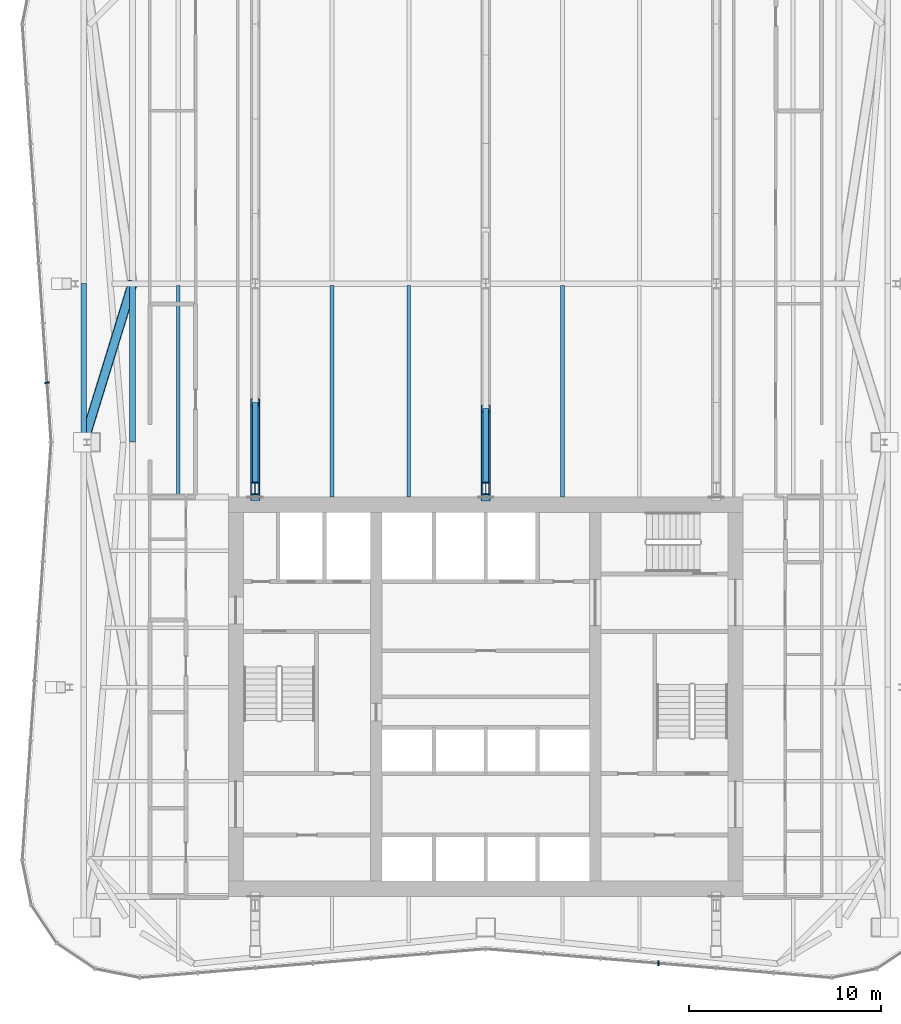
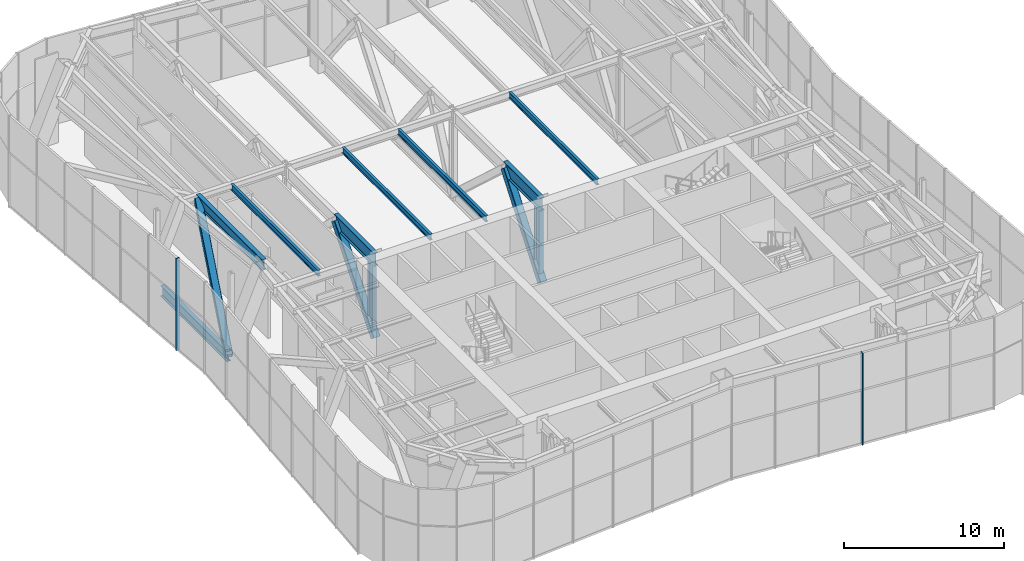
# One storey, part 6 of 17: 11 members, 4 beams, 2 elements without a shape of their own.
"""IFC4 building model written with IfcOpenShell, lengths in metres."""

from ifc_helpers import new_model, si_unit, direction, frame, origin, origin_2d, place, context, subcontext, project, spatial, rectangle, hollow_rectangle, i_section, extrude, material, material_profile, profile_set, type_object, element, aggregate, save


model = new_model("IFC4")

# Units and contexts
model_context = context("Model", 3, precision=1e-05, world=origin(), true_north=direction((0.0, 1.0)))
body_context = subcontext(model_context, "Body", "Model", "MODEL_VIEW")
ifc_project = project(units=[si_unit("LENGTHUNIT", "METRE"), si_unit("AREAUNIT", "SQUARE_METRE"), si_unit("VOLUMEUNIT", "CUBIC_METRE"), si_unit("PLANEANGLEUNIT", "RADIAN"), si_unit("MASSUNIT", "GRAM", prefix="KILO")], contexts=[model_context])

# Site, building, storey
site_placement = place(None, origin())
site = spatial("IfcSite", under=ifc_project, at=site_placement, CompositionType="ELEMENT")
building_placement = place(site_placement, origin())
building = spatial("IfcBuilding", under=site, at=building_placement, Name="Verdant Reach Tower", CompositionType="ELEMENT")
storey_placement = place(building_placement, frame((0.0, 0.0, 282.0)))
storey = spatial("IfcBuildingStorey", under=building, at=storey_placement, Name="L65 Plant", CompositionType="ELEMENT", Elevation=282.0)

# Curtain wall, member
ifc_material_1 = material(Name="Anodised aluminium", Category="aluminium")
curtain_wall_type = type_object("IfcCurtainWallType", Name="EN-CW SYSTEM PLANT", PredefinedType="NOTDEFINED", material=ifc_material_1)
curtain_wall_1_placement = place(storey_placement, origin())
curtain_wall_1 = element("IfcCurtainWall", 1, at=curtain_wall_1_placement, inside=storey, type_object=curtain_wall_type, Name="Curtain wall west, L65", PredefinedType="NOTDEFINED")
ifc_material_profile_1 = material_profile(ifc_material_1, rectangle(XDim=0.238037109375, YDim=0.080078125, at=origin_2d()), Name="Mullion 80x240")
ifc_profile_set_1 = profile_set([ifc_material_profile_1], Name="Anodised aluminium")
member_type_1 = type_object("IfcMemberType", Name="EN-MULLION PLANT", PredefinedType="MULLION", material=ifc_profile_set_1)
member_1_placement = place(storey_placement, frame((-22.8330078125, 44.348876953125, -0.35009765625), z_axis=(0.0, 0.0, 1.0), x_axis=(-0.997630328423, -0.068802091615, 0.0)))
member_1 = element("IfcMember", 2, at=member_1_placement, type_object=member_type_1, Name="Mullion west face part 1 7, L65", PredefinedType="MULLION", context=body_context, shape_type="SweptSolid", body=[
    extrude(rectangle(XDim=0.238037109375, YDim=0.080078125, at=origin_2d()), origin(), (0.0, 0.0, 1.0), 7.0),
])
aggregate(curtain_wall_1, [member_1])

curtain_wall_2_placement = place(storey_placement, origin())
curtain_wall_2 = element("IfcCurtainWall", 3, at=curtain_wall_2_placement, inside=storey, type_object=curtain_wall_type, Name="Curtain wall south, L65", PredefinedType="NOTDEFINED")
member_2_placement = place(storey_placement, frame((8.990234375, 14.13134765625, -0.35009765625), z_axis=(0.0, 0.0, 1.0), x_axis=(-0.083045479859, -0.996545758244, 0.0)))
member_2 = element("IfcMember", 4, at=member_2_placement, type_object=member_type_1, Name="Mullion south face part 2 4, L65", PredefinedType="MULLION", context=body_context, shape_type="SweptSolid", body=[
    extrude(rectangle(XDim=0.238037109375, YDim=0.080078125, at=origin_2d()), origin(), (0.0, 0.0, 1.0), 7.0),
])
aggregate(curtain_wall_2, [member_2])

# Beams
ifc_material_2 = material(Name="Steel S355", Category="steel")
ifc_material_profile_2 = material_profile(ifc_material_2, i_section(OverallWidth=0.18994140625, OverallDepth=0.449951171875, WebThickness=0.009521484375, FlangeThickness=0.0146484375, FilletRadius=0.02099609375, at=origin_2d()), Name="IPE 450")
ifc_profile_set_2 = profile_set([ifc_material_profile_2], Name="Steel S355")
beam_type = type_object("IfcBeamType", Name="ST-JOIST-IPE450", PredefinedType="JOIST", material=ifc_profile_set_2)
beam_placement = place(storey_placement, frame((-16.0, 38.5, 6.64501953125), z_axis=(0.0, 1.0, 0.0), x_axis=(-1.0, 0.0, 0.0)))
element("IfcBeam", 5, at=beam_placement, inside=storey, type_object=beam_type, Name="Floor joist, L65 Plant", PredefinedType="JOIST", context=body_context, shape_type="SweptSolid", body=[
    extrude(i_section(OverallWidth=0.18994140625, OverallDepth=0.449951171875, WebThickness=0.009521484375, FlangeThickness=0.0146484375, FilletRadius=0.02099609375, at=origin_2d()), origin(), (0.0, 0.0, 1.0), 10.89990234375),
])
for number, where, z_axis, x_axis, name in (
    (6, (-8.0, 38.39990234375, 6.64501953125), (0.0, 1.0, 0.0), (-1.0, 0.0, 0.0), "Floor joist, L65 Plant"),
    (7, (-4.0, 38.39990234375, 6.64501953125), (0.0, 1.0, 0.0), (-1.0, 0.0, 0.0), "Floor joist, L65 Plant"),
    (8, (4.0, 38.39990234375, 6.64501953125), (0.0, 1.0, 0.0), (-1.0, 0.0, 0.0), "Floor joist, L65 Plant"),
):
    element("IfcBeam", number, at=place(storey_placement, frame(where, z_axis=z_axis, x_axis=x_axis)), inside=storey, type_object=beam_type, Name=name, PredefinedType="JOIST", context=body_context, shape_type="SweptSolid", body=[
        extrude(i_section(OverallWidth=0.18994140625, OverallDepth=0.449951171875, WebThickness=0.009521484375, FlangeThickness=0.0146484375, FilletRadius=0.02099609375, at=origin_2d()), origin(), (0.0, 0.0, 1.0), 11.0),
    ])

# Members
ifc_material_3 = material(Name="Steel S460", Category="steel")
ifc_material_profile_3 = material_profile(ifc_material_3, hollow_rectangle(XDim=0.5, YDim=0.5, WallThickness=0.02490234375, InnerFilletRadius=0.02490234375, OuterFilletRadius=0.050048828125, at=origin_2d()), Name="RHS 500x500x25")
ifc_profile_set_3 = profile_set([ifc_material_profile_3], Name="Steel S460")
member_type_2 = type_object("IfcMemberType", Name="ST-TRUSS-BRACE-RHS500x500x25", PredefinedType="BRACE", material=ifc_profile_set_3)
member_3_placement = place(storey_placement, frame((-12.0, 38.39990234375, 0.406982421875), z_axis=(0.0, 0.636766330405, 0.771056833484), x_axis=(-1.0, 0.0, 0.0)))
element("IfcMember", 9, at=member_3_placement, inside=storey, type_object=member_type_2, Name="Belt truss C north, diagonal, L65 Plant", PredefinedType="BRACE", context=body_context, shape_type="SweptSolid", body=[
    extrude(hollow_rectangle(XDim=0.5, YDim=0.5, WallThickness=0.02490234375, InnerFilletRadius=0.02490234375, OuterFilletRadius=0.050048828125, at=origin_2d()), origin(), (0.0, 0.0, 1.0), 7.728271484375),
])
member_4_placement = place(storey_placement, frame((0.0, 38.39990234375, 0.406982421875), z_axis=(0.0, 0.611067151467, 0.791578761968), x_axis=(-1.0, 0.0, 0.0)))
element("IfcMember", 10, at=member_4_placement, inside=storey, type_object=member_type_2, Name="Belt truss D north, diagonal, L65 Plant", PredefinedType="BRACE", context=body_context, shape_type="SweptSolid", body=[
    extrude(hollow_rectangle(XDim=0.5, YDim=0.5, WallThickness=0.02490234375, InnerFilletRadius=0.02490234375, OuterFilletRadius=0.050048828125, at=origin_2d()), origin(), (0.0, 0.0, 1.0), 7.528076171875),
])
member_5_placement = place(storey_placement, frame((-20.922607421875, 41.25, 0.406982421875), z_axis=(0.240951009345, 0.782378832304, 0.574304774364), x_axis=(-0.955703762754, 0.29433028702, 0.0)))
element("IfcMember", 11, at=member_5_placement, inside=storey, type_object=member_type_2, Name="Belt truss B west, diagonal, L65 Plant", PredefinedType="BRACE", context=body_context, shape_type="SweptSolid", body=[
    extrude(hollow_rectangle(XDim=0.5, YDim=0.5, WallThickness=0.02490234375, InnerFilletRadius=0.02490234375, OuterFilletRadius=0.050048828125, at=origin_2d()), origin(), (0.0, 0.0, 1.0), 10.544677734375),
])
ifc_material_profile_4 = material_profile(ifc_material_3, i_section(OverallWidth=0.302001953125, OverallDepth=1.008056640625, WebThickness=0.02099609375, FlangeThickness=0.0400390625, FilletRadius=0.030029296875, at=origin_2d()), Name="HEM 1000")
ifc_profile_set_4 = profile_set([ifc_material_profile_4], Name="Steel S460")
member_type_3 = type_object("IfcMemberType", Name="ST-TRUSS-CHORD-HEM1000", PredefinedType="CHORD", material=ifc_profile_set_4)
member_6_placement = place(storey_placement, frame((-12.0, 38.39990234375, 6.365966796875), z_axis=(0.0, 1.0, 0.0), x_axis=(-1.0, 0.0, 0.0)))
element("IfcMember", 12, at=member_6_placement, inside=storey, type_object=member_type_3, Name="Belt truss C north, top chord, L65 Plant", PredefinedType="CHORD", context=body_context, shape_type="SweptSolid", body=[
    extrude(i_section(OverallWidth=0.302001953125, OverallDepth=1.008056640625, WebThickness=0.02099609375, FlangeThickness=0.0400390625, FilletRadius=0.030029296875, at=origin_2d()), origin(), (0.0, 0.0, 1.0), 4.921142578125),
])
member_7_placement = place(storey_placement, frame((0.0, 38.39990234375, 6.365966796875), z_axis=(0.0, 1.0, 0.0), x_axis=(-1.0, 0.0, 0.0)))
element("IfcMember", 13, at=member_7_placement, inside=storey, type_object=member_type_3, Name="Belt truss D north, top chord, L65 Plant", PredefinedType="CHORD", context=body_context, shape_type="SweptSolid", body=[
    extrude(i_section(OverallWidth=0.302001953125, OverallDepth=1.008056640625, WebThickness=0.02099609375, FlangeThickness=0.0400390625, FilletRadius=0.030029296875, at=origin_2d()), origin(), (0.0, 0.0, 1.0), 4.60009765625),
])
ifc_material_profile_5 = material_profile(ifc_material_3, i_section(OverallWidth=0.302978515625, OverallDepth=0.81396484375, WebThickness=0.02099609375, FlangeThickness=0.0400390625, FilletRadius=0.030029296875, at=origin_2d()), Name="HEM 800")
ifc_profile_set_5 = profile_set([ifc_material_profile_5], Name="Steel S460")
member_type_4 = type_object("IfcMemberType", Name="ST-TRUSS-CHORD-HEM800", PredefinedType="CHORD", material=ifc_profile_set_5)
for number, where, z_axis, x_axis, name in (
    (14, (-18.3818359375, 41.25, 6.462890625), (0.0, 1.0, 0.0), (-1.0, 0.0, 0.0), "Belt truss B west, top chord, L65 Plant"),
    (15, (-20.922607421875, 41.25, 0.406982421875), (0.0, 1.0, 0.0), (-1.0, 0.0, 0.0), "Belt truss B west, bottom chord, L65 Plant"),
):
    element("IfcMember", number, at=place(storey_placement, frame(where, z_axis=z_axis, x_axis=x_axis)), inside=storey, type_object=member_type_4, Name=name, PredefinedType="CHORD", context=body_context, shape_type="SweptSolid", body=[
        extrude(i_section(OverallWidth=0.302978515625, OverallDepth=0.81396484375, WebThickness=0.02099609375, FlangeThickness=0.0400390625, FilletRadius=0.030029296875, at=origin_2d()), origin(), (0.0, 0.0, 1.0), 8.25),
    ])
ifc_material_profile_6 = material_profile(ifc_material_3, i_section(OverallWidth=0.304931640625, OverallDepth=0.6201171875, WebThickness=0.02099609375, FlangeThickness=0.0400390625, FilletRadius=0.027099609375, at=origin_2d()), Name="HEM 600")
ifc_profile_set_6 = profile_set([ifc_material_profile_6], Name="Steel S460")
member_type_5 = type_object("IfcMemberType", Name="ST-TRUSS-POST-HEM600", PredefinedType="POST", material=ifc_profile_set_6)
for number, where, z_axis, x_axis, name in (
    (16, (-12.0, 38.85009765625, 0.833984375), (0.0, 0.0, 1.0), (1.0, 0.0, 0.0), "Belt truss C north, end post, L65 Plant"),
    (17, (0.0, 38.85009765625, 0.833984375), (0.0, 0.0, 1.0), (1.0, 0.0, 0.0), "Belt truss D north, end post, L65 Plant"),
):
    element("IfcMember", number, at=place(storey_placement, frame(where, z_axis=z_axis, x_axis=x_axis)), inside=storey, type_object=member_type_5, Name=name, PredefinedType="POST", context=body_context, shape_type="SweptSolid", body=[
        extrude(i_section(OverallWidth=0.304931640625, OverallDepth=0.6201171875, WebThickness=0.02099609375, FlangeThickness=0.0400390625, FilletRadius=0.027099609375, at=origin_2d()), origin(), (0.0, 0.0, 1.0), 5.008056640625),
    ])

save(model, "model.ifc")
